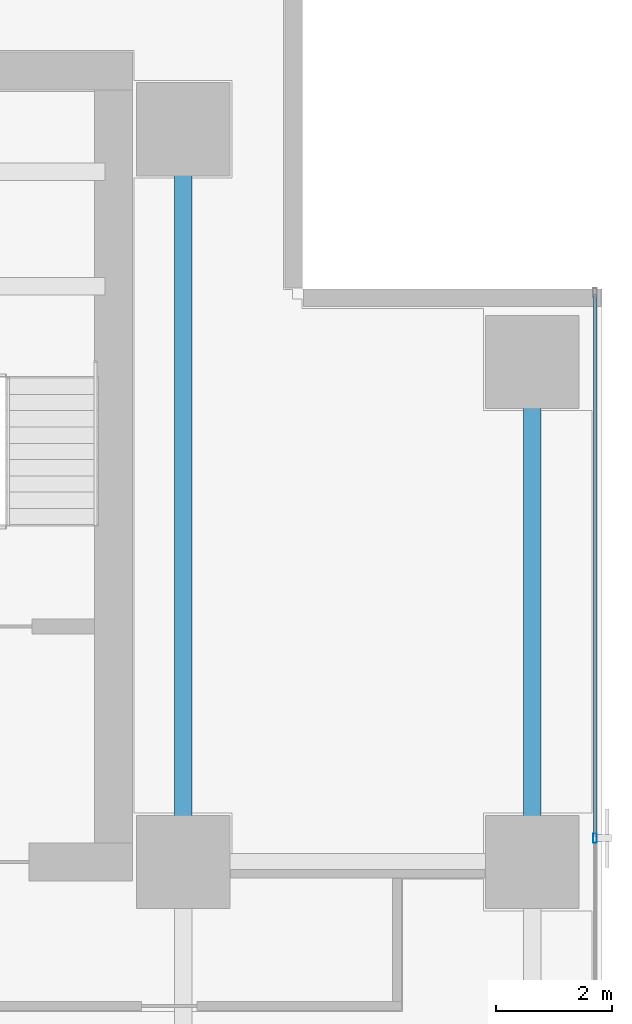
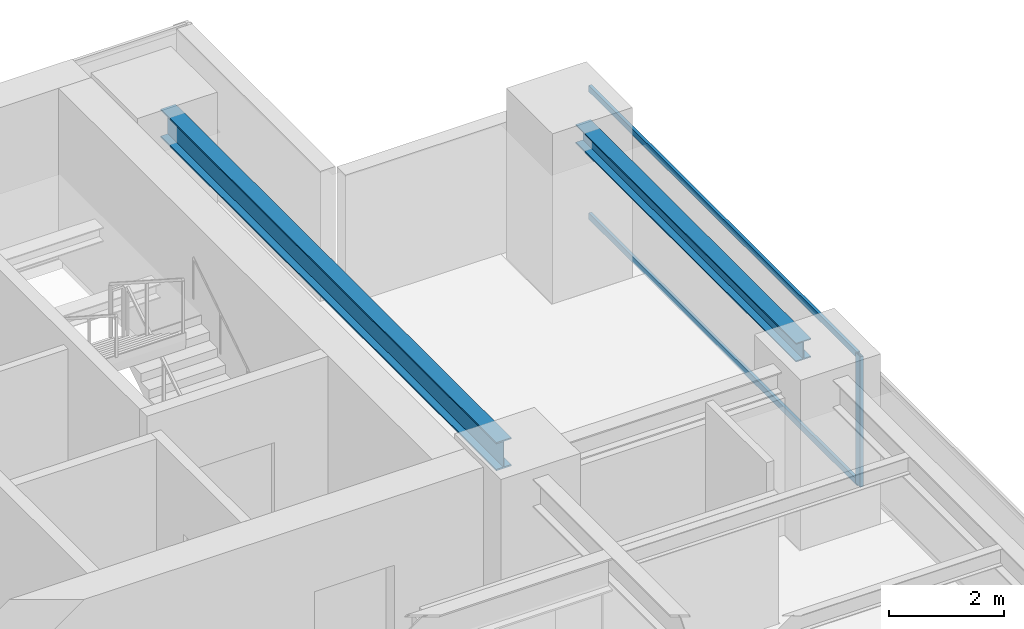
# One storey, part 18 of 28: 3 members, 2 beams, 1 element without a shape of its own.
"""IFC4 building model written with IfcOpenShell, lengths in metres."""

import ifcopenshell
import ifcopenshell.guid

model = None  # the IFC model being written
_history = None  # IfcOwnerHistory: only IFC2X3 demands one
_inside = {}  # id of a spatial element -> (the spatial element, [elements in it])
_under = {}  # id of a project, library or spatial element -> (it, [spatial elements below it])
_declared = {}  # id of a project -> (the project, [libraries it declares])
_typed = {}  # id of a type object -> (the type object, [elements of that type])
_made_of = {}  # id of a material, layer set ... -> (it, [elements and type objects made of it])


def new_model(schema):
    """Start an empty IFC model of exactly this schema.

    Asked for "IFC4X3", IfcOpenShell would pick the latest addendum, in which some entities
    have other attributes; the version numbers below select the first issue.
    IFC2X3 requires an IfcOwnerHistory on every rooted entity: one is made here for all.
    """
    global model, _history
    if schema == "IFC4X3":
        model = ifcopenshell.file(schema_version=(4, 3, 0, 0))
    else:
        model = ifcopenshell.file(schema=schema)
    _inside.clear()
    _under.clear()
    _declared.clear()
    _typed.clear()
    _made_of.clear()
    _history = None
    if model.schema == "IFC2X3":
        org = make("IfcOrganization", Name="unknown")
        user = make(
            "IfcPersonAndOrganization",
            ThePerson=make("IfcPerson", FamilyName="unknown"),
            TheOrganization=org,
        )
        app = make(
            "IfcApplication",
            ApplicationDeveloper=org,
            Version="unknown",
            ApplicationFullName="unknown",
            ApplicationIdentifier="unknown",
        )
        _history = make(
            "IfcOwnerHistory",
            OwningUser=user,
            OwningApplication=app,
            ChangeAction="ADDED",
            CreationDate=0,
        )
    return model


def make(cls, **values):
    """One entity of the class cls with the attributes given. An attribute that is None is left unset."""
    return model.create_entity(
        cls, **{name: value for name, value in values.items() if value is not None}
    )


def rooted(cls, **values):
    """An entity with a GlobalId (a new one), such as an element, a storey or a relation."""
    return make(cls, GlobalId=ifcopenshell.guid.new(), OwnerHistory=_history, **values)


def si_unit(unit_type, name, prefix=None):
    """IfcSIUnit, for example si_unit("LENGTHUNIT", "METRE", prefix="MILLI")."""
    return make("IfcSIUnit", UnitType=unit_type, Prefix=prefix, Name=name)


def assignment(units):
    """IfcUnitAssignment: the units of a project."""
    return None if units is None else make("IfcUnitAssignment", Units=units)


def point(xyz):
    """IfcCartesianPoint."""
    return None if xyz is None else make("IfcCartesianPoint", Coordinates=xyz)


def direction(xyz):
    """IfcDirection."""
    return None if xyz is None else make("IfcDirection", DirectionRatios=xyz)


def frame(location, z_axis=None, x_axis=None):
    """IfcAxis2Placement3D, a coordinate frame: its origin and axes. An axis left out is left unset."""
    return make(
        "IfcAxis2Placement3D",
        Location=point(location),
        Axis=direction(z_axis),
        RefDirection=direction(x_axis),
    )


def frame_2d(location, x_axis=None):
    """IfcAxis2Placement2D, a coordinate frame in the plane: its origin and x axis."""
    return make(
        "IfcAxis2Placement2D", Location=point(location), RefDirection=direction(x_axis)
    )


def origin():
    """The frame at (0, 0, 0) with its axes left unset."""
    return frame((0.0, 0.0, 0.0))


def origin_2d():
    """The frame at (0, 0) in the plane with its x axis left unset."""
    return frame_2d((0.0, 0.0))


def place(relative_to, where):
    """IfcLocalPlacement: puts the frame where relative to a parent placement (None: the world)."""
    return make(
        "IfcLocalPlacement", PlacementRelTo=relative_to, RelativePlacement=where
    )


def context(
    kind, dimensions, precision=None, world=None, true_north=None, identifier=None
):
    """IfcGeometricRepresentationContext, for example the 3D "Model" context."""
    return make(
        "IfcGeometricRepresentationContext",
        ContextIdentifier=identifier,
        ContextType=kind,
        CoordinateSpaceDimension=dimensions,
        Precision=precision,
        WorldCoordinateSystem=world,
        TrueNorth=true_north,
    )


def subcontext(parent, identifier, kind, view, scale=None):
    """IfcGeometricRepresentationSubContext, for example "Body" below "Model"."""
    return make(
        "IfcGeometricRepresentationSubContext",
        ContextIdentifier=identifier,
        ContextType=kind,
        ParentContext=parent,
        TargetScale=scale,
        TargetView=view,
    )


def project(units=None, contexts=None):
    """IfcProject with its units and contexts."""
    return rooted(
        "IfcProject",
        Name="project",
        RepresentationContexts=contexts,
        UnitsInContext=assignment(units),
    )


def spatial(cls, under=None, at=None, **own):
    """A site, building, storey or space (cls), placed at a placement, below another one or the project."""
    s = rooted(cls, ObjectPlacement=at, **own)
    if under is not None:
        _under.setdefault(under.id(), (under, []))[1].append(s)
    return s


def profile(cls, at=None, kind="AREA", **sizes):
    """A parametric profile (cls). Its sizes go by their IFC names, for example OverallWidth=200.0."""
    return make(cls, ProfileType=kind, Position=at, **sizes)


def hollow_rectangle(**sizes):
    """IfcRectangleHollowProfileDef."""
    return profile("IfcRectangleHollowProfileDef", **sizes)


def i_section(**sizes):
    """IfcIShapeProfileDef."""
    return profile("IfcIShapeProfileDef", **sizes)


def extrude(swept, where, along, depth):
    """IfcExtrudedAreaSolid: the profile swept, set in the frame where, extruded along a direction by depth."""
    return make(
        "IfcExtrudedAreaSolid",
        SweptArea=swept,
        Position=where,
        ExtrudedDirection=direction(along),
        Depth=depth,
    )


def shape(context_of_items, identifier, shape_type, items):
    """IfcShapeRepresentation: the items that make up one representation, for example the "Body"."""
    return make(
        "IfcShapeRepresentation",
        ContextOfItems=context_of_items,
        RepresentationIdentifier=identifier,
        RepresentationType=shape_type,
        Items=items,
    )


def source(mapping_origin, context_of_items, identifier, shape_type, items):
    """IfcRepresentationMap: a shape defined once, which mapped items show again and again."""
    return make(
        "IfcRepresentationMap",
        MappingOrigin=mapping_origin,
        MappedRepresentation=shape(context_of_items, identifier, shape_type, items),
    )


def transform(
    local_origin,
    x_axis=None,
    y_axis=None,
    z_axis=None,
    scale=None,
    scale2=None,
    scale3=None,
    uniform=True,
):
    """IfcCartesianTransformationOperator3D, or its non-uniform kind. x_axis, y_axis, z_axis: its Axis1, 2, 3."""
    if uniform:
        return make(
            "IfcCartesianTransformationOperator3D",
            Axis1=direction(x_axis),
            Axis2=direction(y_axis),
            LocalOrigin=point(local_origin),
            Scale=scale,
            Axis3=direction(z_axis),
        )
    return make(
        "IfcCartesianTransformationOperator3DnonUniform",
        Axis1=direction(x_axis),
        Axis2=direction(y_axis),
        LocalOrigin=point(local_origin),
        Scale=scale,
        Axis3=direction(z_axis),
        Scale2=scale2,
        Scale3=scale3,
    )


def mapped(mapping_source, mapping_target):
    """IfcMappedItem: shows the shape of a source again, moved by a transform."""
    return make(
        "IfcMappedItem", MappingSource=mapping_source, MappingTarget=mapping_target
    )


def material(Name=None, Category=None):
    """IfcMaterial."""
    return make("IfcMaterial", Name=Name, Category=Category)


def layer(
    of_material, thickness, ventilated=None, Name=None, Category=None, Priority=None
):
    """IfcMaterialLayer: one layer of a wall or slab, of a material (None: an air gap)."""
    return make(
        "IfcMaterialLayer",
        Material=of_material,
        LayerThickness=thickness,
        IsVentilated=ventilated,
        Name=Name,
        Category=Category,
        Priority=Priority,
    )


def layer_set(layers, Name=None):
    """IfcMaterialLayerSet."""
    return make("IfcMaterialLayerSet", MaterialLayers=layers, LayerSetName=Name)


def material_profile(
    of_material, cross_section, Name=None, Category=None, Priority=None
):
    """IfcMaterialProfile: a cross section and its material."""
    return make(
        "IfcMaterialProfile",
        Name=Name,
        Material=of_material,
        Profile=cross_section,
        Priority=Priority,
        Category=Category,
    )


def profile_set(profiles, Name=None, composite=None):
    """IfcMaterialProfileSet."""
    return make(
        "IfcMaterialProfileSet",
        Name=Name,
        MaterialProfiles=profiles,
        CompositeProfile=composite,
    )


def made_of(thing, what):
    """Note that an element or type object is made of a material, layer set ...; save() writes the relation."""
    if what is not None:
        _made_of.setdefault(what.id(), (what, []))[1].append(thing)
    return thing


def type_object(cls, material=None, **own):
    """A type object (cls), such as IfcWallType, which elements share."""
    return made_of(rooted(cls, **own), material)


def element(
    cls,
    number,
    at=None,
    inside=None,
    cuts=None,
    type_object=None,
    material=None,
    context=None,
    identifier="Body",
    shape_type=None,
    held_by="IfcProductDefinitionShape",
    body=None,
    shapes=None,
    **own,
):
    """One element of the class cls, such as IfcWall. Its Tag is "e" and its number.

    at: its placement. inside: the storey or other place that contains it. cuts: it is an
    opening in that element (IfcRelVoidsElement). A single representation is given by context,
    identifier, shape_type and body (its items); several are given by shapes. held_by: the class
    of the entity that holds the representations. save() writes the other relations.
    """
    e = rooted(cls, Tag="e%d" % number, ObjectPlacement=at, **own)
    if body is not None:
        shapes = [shape(context, identifier, shape_type, body)]
    if shapes is not None:
        e.Representation = make(held_by, Representations=shapes)
    if inside is not None:
        _inside.setdefault(inside.id(), (inside, []))[1].append(e)
    if cuts is not None:
        rooted(
            "IfcRelVoidsElement", RelatingBuildingElement=cuts, RelatedOpeningElement=e
        )
    if type_object is not None:
        _typed.setdefault(type_object.id(), (type_object, []))[1].append(e)
    return made_of(e, material)


def aggregate(whole, parts):
    """IfcRelAggregates: a whole, such as a stair, and the parts it consists of."""
    return rooted("IfcRelAggregates", RelatingObject=whole, RelatedObjects=parts)


def save(model, path):
    """Write the relations noted so far, then the file.

    IfcRelAggregates (storeys below a building ...), IfcRelContainedInSpatialStructure (elements
    in a storey), IfcRelDefinesByType, IfcRelAssociatesMaterial and IfcRelDeclares: one each for
    every whole, place, type object, material and project.
    """
    for whole, parts in _under.values():
        aggregate(whole, parts)
    for where, things in _inside.values():
        rooted(
            "IfcRelContainedInSpatialStructure",
            RelatedElements=things,
            RelatingStructure=where,
        )
    for kind, things in _typed.values():
        rooted("IfcRelDefinesByType", RelatedObjects=things, RelatingType=kind)
    for what, things in _made_of.values():
        rooted("IfcRelAssociatesMaterial", RelatedObjects=things, RelatingMaterial=what)
    for by, libraries in _declared.values():
        rooted("IfcRelDeclares", RelatingContext=by, RelatedDefinitions=libraries)
    model.write(path)


model = new_model("IFC4")

# Units and contexts
model_context = context("Model", 3, precision=1e-05, world=origin(), true_north=direction((0.0, 1.0)))
body_context = subcontext(model_context, "Body", "Model", "MODEL_VIEW")
ifc_project = project(units=[si_unit("LENGTHUNIT", "METRE"), si_unit("AREAUNIT", "SQUARE_METRE"), si_unit("VOLUMEUNIT", "CUBIC_METRE"), si_unit("PLANEANGLEUNIT", "RADIAN"), si_unit("MASSUNIT", "GRAM", prefix="KILO")], contexts=[model_context])

# Site, building, storey
site_placement = place(None, origin())
site = spatial("IfcSite", under=ifc_project, at=site_placement, CompositionType="ELEMENT")
building_placement = place(site_placement, origin())
building = spatial("IfcBuilding", under=site, at=building_placement, Name="Sumidabori Civic Tower", CompositionType="ELEMENT")
storey_placement = place(building_placement, frame((0.0, 0.0, 146.0)))
storey = spatial("IfcBuildingStorey", under=building, at=storey_placement, Name="L37", CompositionType="ELEMENT", Elevation=146.0)

# Beams
ifc_material_1 = material(Name="Steel SN490", Category="steel")
ifc_material_profile_1 = material_profile(ifc_material_1, i_section(OverallWidth=0.300048828125, OverallDepth=0.39990234375, WebThickness=0.013427734375, FlangeThickness=0.02392578125, at=origin_2d()), Name="HE 400 B")
ifc_profile_set_1 = profile_set([ifc_material_profile_1], Name="Steel SN490")
beam_type_1 = type_object("IfcBeamType", Name="BM-GIRD-400", PredefinedType="BEAM", material=ifc_profile_set_1)
shared_shape_1 = source(origin(), body_context, "Body", "SweptSolid", [
    extrude(i_section(OverallWidth=0.300048828125, OverallDepth=0.39990234375, WebThickness=0.013427734375, FlangeThickness=0.02392578125, at=origin_2d()), origin(), (0.0, 0.0, 1.0), 7.64013671875),
])
beam_1_placement = place(storey_placement, frame((22.800048828125, 10.679931640625, 3.179931640625), z_axis=(0.0, 1.0, 0.0), x_axis=(-1.0, 0.0, 0.0)))
element("IfcBeam", 1, at=beam_1_placement, inside=storey, type_object=beam_type_1, Name="Primary Girder L37 GY-38", PredefinedType="BEAM", context=body_context, shape_type="MappedRepresentation", body=[
    mapped(shared_shape_1, transform((0.0, 0.0, 0.0), x_axis=(1.0, 0.0, 0.0), y_axis=(0.0, 1.0, 0.0), z_axis=(0.0, 0.0, 1.0), scale=1.0)),
])
ifc_material_profile_2 = material_profile(ifc_material_1, i_section(OverallWidth=0.300048828125, OverallDepth=0.60009765625, WebThickness=0.015380859375, FlangeThickness=0.030029296875, at=origin_2d()), Name="HE 600 B")
ifc_profile_set_2 = profile_set([ifc_material_profile_2], Name="Steel SN490")
beam_type_2 = type_object("IfcBeamType", Name="BM-GIRD-600", PredefinedType="BEAM", material=ifc_profile_set_2)
shared_shape_2 = source(origin(), body_context, "Body", "SweptSolid", [
    extrude(i_section(OverallWidth=0.300048828125, OverallDepth=0.60009765625, WebThickness=0.015380859375, FlangeThickness=0.030029296875, at=origin_2d()), origin(), (0.0, 0.0, 1.0), 11.64013671875),
])
beam_2_placement = place(storey_placement, frame((16.800048828125, 10.679931640625, 3.080078125), z_axis=(0.0, 1.0, 0.0), x_axis=(-1.0, 0.0, 0.0)))
element("IfcBeam", 2, at=beam_2_placement, inside=storey, type_object=beam_type_2, Name="Primary Girder L37 GY-35", PredefinedType="BEAM", context=body_context, shape_type="MappedRepresentation", body=[
    mapped(shared_shape_2, transform((0.0, 0.0, 0.0), x_axis=(1.0, 0.0, 0.0), y_axis=(0.0, 1.0, 0.0), z_axis=(0.0, 0.0, 1.0), scale=1.0)),
])

# Curtain wall, members
ifc_material_2 = material(Name="Anodised Bronze Aluminium AW-6063-T6", Category="aluminium")
ifc_layer = layer(ifc_material_2, 0.179931640625, Name="Anodised Bronze Aluminium AW-6063-T6")
ifc_layer_set = layer_set([ifc_layer], Name="Anodised Bronze Aluminium AW-6063-T6")
curtain_wall_type = type_object("IfcCurtainWallType", Name="CW-SYS-3", PredefinedType="NOTDEFINED", material=ifc_layer_set)
curtain_wall_placement = place(storey_placement, origin())
curtain_wall = element("IfcCurtainWall", 3, at=curtain_wall_placement, inside=storey, type_object=curtain_wall_type, Name="Curtain Wall CW:L37:R04", PredefinedType="NOTDEFINED")
ifc_material_profile_3 = material_profile(ifc_material_2, hollow_rectangle(XDim=0.06494140625, YDim=0.159912109375, WallThickness=0.0048828125, at=origin_2d()), Name="ALU MULLION 160x65")
ifc_profile_set_3 = profile_set([ifc_material_profile_3], Name="Anodised Bronze Aluminium AW-6063-T6")
member_type_1 = type_object("IfcMemberType", Name="CW-MUL-160", PredefinedType="MULLION", material=ifc_profile_set_3)
shared_shape_3 = source(origin(), body_context, "Body", "SweptSolid", [
    extrude(hollow_rectangle(XDim=0.06494140625, YDim=0.159912109375, WallThickness=0.0048828125, at=origin_2d()), origin(), (0.0, 0.0, 1.0), 2.760009765625),
])
member_1_placement = place(storey_placement, frame((23.8798828125, 10.610107421875, 0.0), z_axis=(0.0, 0.0, 1.0), x_axis=(-1.0, 0.0, 0.0)))
member_1 = element("IfcMember", 4, at=member_1_placement, type_object=member_type_1, Name="CW-3 mullion 4", PredefinedType="MULLION", context=body_context, shape_type="MappedRepresentation", body=[
    mapped(shared_shape_3, transform((0.0, 0.0, 0.0), x_axis=(1.0, 0.0, 0.0), y_axis=(0.0, 1.0, 0.0), z_axis=(0.0, 0.0, 1.0), scale=1.0)),
])
ifc_material_profile_4 = material_profile(ifc_material_2, hollow_rectangle(XDim=0.06005859375, YDim=0.1298828125, WallThickness=0.0048828125, at=origin_2d()), Name="ALU TRANSOM 130x60")
ifc_profile_set_4 = profile_set([ifc_material_profile_4], Name="Anodised Bronze Aluminium AW-6063-T6")
member_type_2 = type_object("IfcMemberType", Name="CW-TRN-130", PredefinedType="USERDEFINED", material=ifc_profile_set_4)
shared_shape_4 = source(origin(), body_context, "Body", "SweptSolid", [
    extrude(hollow_rectangle(XDim=0.06005859375, YDim=0.1298828125, WallThickness=0.0048828125, at=origin_2d()), origin(), (0.0, 0.0, 1.0), 9.3125),
])
member_2_placement = place(storey_placement, frame((23.8798828125, 10.642578125, 0.030029296875), z_axis=(0.0, 1.0, 0.0), x_axis=(-1.0, 0.0, 0.0)))
member_2 = element("IfcMember", 5, at=member_2_placement, type_object=member_type_2, Name="CW-3 transom 4.1", ObjectType="TRANSOM", PredefinedType="USERDEFINED", context=body_context, shape_type="MappedRepresentation", body=[
    mapped(shared_shape_4, transform((0.0, 0.0, 0.0), x_axis=(1.0, 0.0, 0.0), y_axis=(0.0, 1.0, 0.0), z_axis=(0.0, 0.0, 1.0), scale=1.0)),
])
member_3_placement = place(storey_placement, frame((23.8798828125, 10.642578125, 2.72998046875), z_axis=(0.0, 1.0, 0.0), x_axis=(-1.0, 0.0, 0.0)))
member_3 = element("IfcMember", 6, at=member_3_placement, type_object=member_type_2, Name="CW-3 transom 4.2", ObjectType="TRANSOM", PredefinedType="USERDEFINED", context=body_context, shape_type="MappedRepresentation", body=[
    mapped(shared_shape_4, transform((0.0, 0.0, 0.0), x_axis=(1.0, 0.0, 0.0), y_axis=(0.0, 1.0, 0.0), z_axis=(0.0, 0.0, 1.0), scale=1.0)),
])
aggregate(curtain_wall, [member_1, member_2, member_3])

save(model, "model.ifc")
